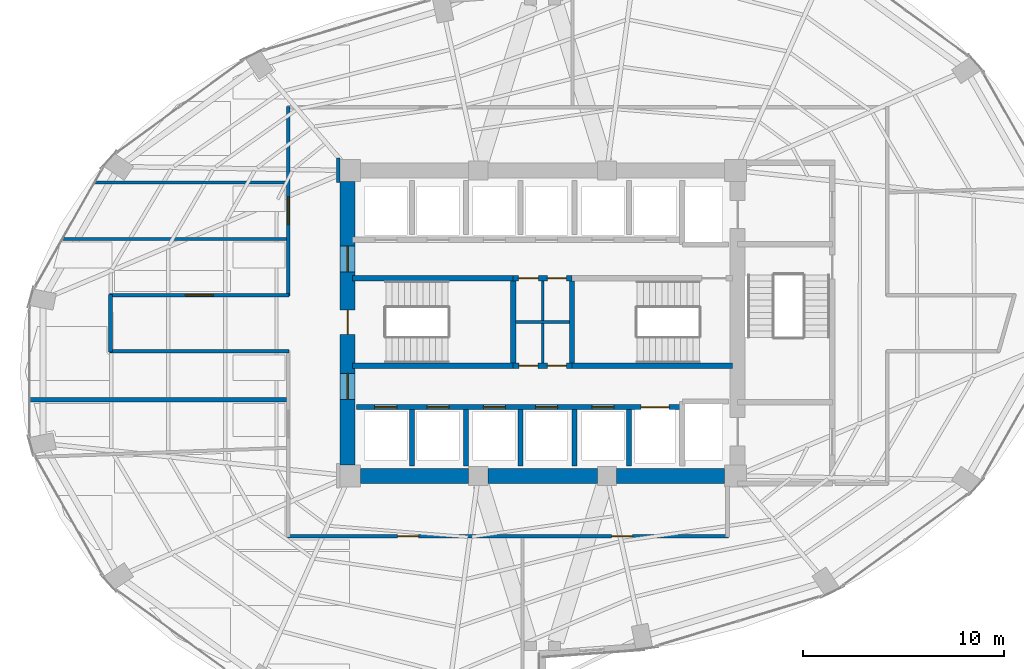
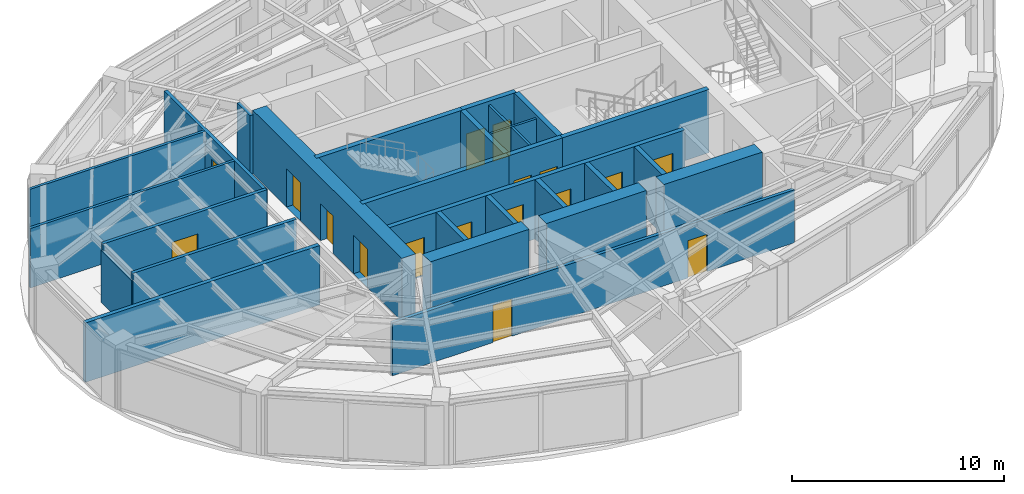
# One storey, part 19 of 23: 28 walls, 17 doors, 17 openings.
"""IFC4 building model written with IfcOpenShell, lengths in metres."""

from ifc_helpers import new_model, si_unit, direction, frame, frame_2d, origin, place, context, subcontext, project, spatial, rectangle, extrude, material, layer, layer_set, type_object, element, fill, save


model = new_model("IFC4")

# Units and contexts
model_context = context("Model", 3, precision=1e-05, world=origin(), true_north=direction((0.0, 1.0)))
body_context = subcontext(model_context, "Body", "Model", "MODEL_VIEW")
ifc_project = project(units=[si_unit("LENGTHUNIT", "METRE"), si_unit("AREAUNIT", "SQUARE_METRE"), si_unit("VOLUMEUNIT", "CUBIC_METRE"), si_unit("PLANEANGLEUNIT", "RADIAN"), si_unit("MASSUNIT", "GRAM", prefix="KILO")], contexts=[model_context])

# Site, building, storey
site_placement = place(None, origin())
site = spatial("IfcSite", under=ifc_project, at=site_placement, CompositionType="ELEMENT")
building_placement = place(site_placement, origin())
building = spatial("IfcBuilding", under=site, at=building_placement, Name="Lazwardi Medical Tower", CompositionType="ELEMENT")
storey_placement = place(building_placement, frame((0.0, 0.0, 92.68798828125)))
storey = spatial("IfcBuildingStorey", under=building, at=storey_placement, Name="L23", CompositionType="ELEMENT", Elevation=92.68798828125)

# Wall
ifc_material_1 = material(Name="Fire-rated gypsum board on steel stud", Category="steel")
ifc_layer_1 = layer(ifc_material_1, 0.179931640625)
ifc_layer_set_1 = layer_set([ifc_layer_1], Name="Fire-rated gypsum board on steel stud")
wall_type_1 = type_object("IfcWallType", Name="WL-COR-180", PredefinedType="PARTITIONING", material=ifc_layer_set_1)
wall_1_placement = place(storey_placement, frame((14.5, 26.56005859375, 0.0), z_axis=(0.0, 0.0, 1.0), x_axis=(0.0, 1.0, 0.0)))
element("IfcWall", 1, at=wall_1_placement, inside=storey, type_object=wall_type_1, Name="L23 Corridor partition 1", PredefinedType="PARTITIONING", context=body_context, shape_type="SweptSolid", body=[
    extrude(rectangle(XDim=2.8798828125, YDim=0.179931640625, at=frame_2d((1.43994140625, 0.0))), origin(), (0.0, 0.0, 1.0), 3.012939453125),
])

# Wall, opening, door
wall_2_placement = place(storey_placement, frame((14.4599609375, 29.39990234375, 0.0), z_axis=(0.0, 0.0, 1.0), x_axis=(1.0, 0.0, 0.0)))
wall_2 = element("IfcWall", 2, at=wall_2_placement, inside=storey, type_object=wall_type_1, Name="L23 Corridor partition 2", PredefinedType="PARTITIONING", context=body_context, shape_type="SweptSolid", body=[
    extrude(rectangle(XDim=8.929931640625, YDim=0.179931640625, at=frame_2d((4.46484375, 0.0))), origin(), (0.0, 0.0, 1.0), 3.427978515625),
])
opening_1_placement = place(wall_2_placement, frame((3.764892578125, 0.0, 0.0)))
opening_1 = element("IfcOpeningElement", 3, at=opening_1_placement, cuts=wall_2, Name="Opening D-L23-015", PredefinedType="OPENING", context=body_context, shape_type="SweptSolid", body=[
    extrude(rectangle(XDim=1.39990234375, YDim=2.199951171875, at=frame_2d((0.699951171875, 1.10009765625))), frame((0.0, 0.099853515625, 0.0), z_axis=(0.0, -1.0, 0.0), x_axis=(1.0, 0.0, 0.0)), (0.0, 0.0, 1.0), 0.199951171875),
])
ifc_material_2 = material(Name="Anti-microbial laminate hospital leaf")
door_type_1 = type_object("IfcDoorType", Name="DR-BED-1400", OperationType="NOTDEFINED", PredefinedType="DOOR", material=ifc_material_2)
door_1_placement = place(opening_1_placement, origin())
door_1 = element("IfcDoor", 4, at=door_1_placement, inside=storey, type_object=door_type_1, Name="L23 Inpatient Ward Door 07", OperationType="SINGLE_SWING_RIGHT", OverallHeight=2.199951171875, OverallWidth=1.39990234375, PredefinedType="DOOR", context=body_context, shape_type="SweptSolid", body=[
    extrude(rectangle(XDim=1.39990234375, YDim=2.199951171875, at=frame_2d((0.699951171875, 1.10009765625))), frame((0.0, 0.02490234375, 0.0), z_axis=(0.0, -1.0, 0.0), x_axis=(1.0, 0.0, 0.0)), (0.0, 0.0, 1.0), 0.050048828125),
])
fill(opening_1, door_1)

wall_3_placement = place(storey_placement, frame((23.35009765625, 29.360107421875, 0.0), z_axis=(0.0, 0.0, 1.0), x_axis=(0.0, 1.0, 0.0)))
wall_3 = element("IfcWall", 5, at=wall_3_placement, inside=storey, type_object=wall_type_1, Name="L23 Corridor partition 3", PredefinedType="PARTITIONING", context=body_context, shape_type="SweptSolid", body=[
    extrude(rectangle(XDim=9.429931640625, YDim=0.179931640625, at=frame_2d((4.71484375, 0.0))), origin(), (0.0, 0.0, 1.0), 3.427978515625),
])
opening_2_placement = place(wall_3_placement, frame((3.5400390625, 0.0, 0.0)))
opening_2 = element("IfcOpeningElement", 6, at=opening_2_placement, cuts=wall_3, Name="Opening D-L23-014", PredefinedType="OPENING", context=body_context, shape_type="SweptSolid", body=[
    extrude(rectangle(XDim=1.39990234375, YDim=2.199951171875, at=frame_2d((0.699951171875, 1.10009765625))), frame((0.0, 0.099853515625, 0.0), z_axis=(0.0, -1.0, 0.0), x_axis=(1.0, 0.0, 0.0)), (0.0, 0.0, 1.0), 0.199951171875),
])
door_2_placement = place(opening_2_placement, origin())
door_2 = element("IfcDoor", 7, at=door_2_placement, inside=storey, type_object=door_type_1, Name="L23 Inpatient Ward Door 06", OperationType="SINGLE_SWING_LEFT", OverallHeight=2.199951171875, OverallWidth=1.39990234375, PredefinedType="DOOR", context=body_context, shape_type="SweptSolid", body=[
    extrude(rectangle(XDim=1.39990234375, YDim=2.199951171875, at=frame_2d((0.699951171875, 1.10009765625))), frame((0.0, 0.02490234375, 0.0), z_axis=(0.0, -1.0, 0.0), x_axis=(1.0, 0.0, 0.0)), (0.0, 0.0, 1.0), 0.050048828125),
])
fill(opening_2, door_2)

# Wall
wall_4_placement = place(storey_placement, frame((25.830078125, 36.2099609375, 0.0), z_axis=(0.0, 0.0, 1.0), x_axis=(0.0, -1.0, 0.0)))
element("IfcWall", 8, at=wall_4_placement, inside=storey, type_object=wall_type_1, Name="L23 Corridor partition 11", PredefinedType="PARTITIONING", context=body_context, shape_type="SweptSolid", body=[
    extrude(rectangle(XDim=1.219970703125, YDim=0.179931640625, at=frame_2d((0.60986328125, 0.0))), origin(), (0.0, 0.0, 1.0), 3.427978515625),
])

# Wall, openings, doors
wall_5_placement = place(storey_placement, frame((45.239990234375, 17.39990234375, 0.0), z_axis=(0.0, 0.0, 1.0), x_axis=(-1.0, 0.0, 0.0)))
wall_5 = element("IfcWall", 9, at=wall_5_placement, inside=storey, type_object=wall_type_1, Name="L23 Corridor partition 14", PredefinedType="PARTITIONING", context=body_context, shape_type="SweptSolid", body=[
    extrude(rectangle(XDim=21.929931640625, YDim=0.179931640625, at=frame_2d((10.96484375, 0.0))), origin(), (0.0, 0.0, 1.0), 3.052978515625),
])
opening_3_placement = place(wall_5_placement, frame((15.40087890625, 0.0, 0.0)))
opening_3 = element("IfcOpeningElement", 10, at=opening_3_placement, cuts=wall_5, Name="Opening D-L23-010", PredefinedType="OPENING", context=body_context, shape_type="SweptSolid", body=[
    extrude(rectangle(XDim=1.050048828125, YDim=2.14990234375, at=frame_2d((0.52490234375, 1.074951171875))), frame((0.0, 0.099853515625, 0.0), z_axis=(0.0, -1.0, 0.0), x_axis=(1.0, 0.0, 0.0)), (0.0, 0.0, 1.0), 0.199951171875),
])
opening_4_placement = place(wall_5_placement, frame((4.75390625, 0.0, 0.0)))
opening_4 = element("IfcOpeningElement", 11, at=opening_4_placement, cuts=wall_5, Name="Opening D-L23-011", PredefinedType="OPENING", context=body_context, shape_type="SweptSolid", body=[
    extrude(rectangle(XDim=1.050048828125, YDim=2.14990234375, at=frame_2d((0.52490234375, 1.074951171875))), frame((0.0, 0.099853515625, 0.0), z_axis=(0.0, -1.0, 0.0), x_axis=(1.0, 0.0, 0.0)), (0.0, 0.0, 1.0), 0.199951171875),
])
door_type_2 = type_object("IfcDoorType", Name="DR-CLN-1050", OperationType="NOTDEFINED", PredefinedType="DOOR", material=ifc_material_2)
door_3_placement = place(opening_3_placement, origin())
door_3 = element("IfcDoor", 12, at=door_3_placement, inside=storey, type_object=door_type_2, Name="L23 Outpatient Clinic Door 02", OperationType="SINGLE_SWING_LEFT", OverallHeight=2.14990234375, OverallWidth=1.050048828125, PredefinedType="DOOR", context=body_context, shape_type="SweptSolid", body=[
    extrude(rectangle(XDim=1.050048828125, YDim=2.14990234375, at=frame_2d((0.52490234375, 1.074951171875))), frame((0.0, 0.02490234375, 0.0), z_axis=(0.0, -1.0, 0.0), x_axis=(1.0, 0.0, 0.0)), (0.0, 0.0, 1.0), 0.050048828125),
])
fill(opening_3, door_3)
door_4_placement = place(opening_4_placement, origin())
door_4 = element("IfcDoor", 13, at=door_4_placement, inside=storey, type_object=door_type_2, Name="L23 Clinical Specialist Office Door 03", OperationType="SINGLE_SWING_RIGHT", OverallHeight=2.14990234375, OverallWidth=1.050048828125, PredefinedType="DOOR", context=body_context, shape_type="SweptSolid", body=[
    extrude(rectangle(XDim=1.050048828125, YDim=2.14990234375, at=frame_2d((0.52490234375, 1.074951171875))), frame((0.0, 0.02490234375, 0.0), z_axis=(0.0, -1.0, 0.0), x_axis=(1.0, 0.0, 0.0)), (0.0, 0.0, 1.0), 0.050048828125),
])
fill(opening_4, door_4)

# Wall
wall_6_placement = place(storey_placement, frame((23.389892578125, 26.60009765625, 0.0), z_axis=(0.0, 0.0, 1.0), x_axis=(-1.0, 0.0, 0.0)))
element("IfcWall", 14, at=wall_6_placement, inside=storey, type_object=wall_type_1, Name="L23 Corridor partition 16", PredefinedType="PARTITIONING", context=body_context, shape_type="SweptSolid", body=[
    extrude(rectangle(XDim=8.929931640625, YDim=0.179931640625, at=frame_2d((4.46484375, 0.0))), origin(), (0.0, 0.0, 1.0), 3.427978515625),
])

# Wall, openings, doors
ifc_material_3 = material(Name="Concrete C70/85", Category="concrete")
ifc_layer_2 = layer(ifc_material_3, 0.75)
ifc_layer_set_2 = layer_set([ifc_layer_2], Name="Concrete C70/85")
wall_type_2 = type_object("IfcWallType", Name="WL-CORE-750", PredefinedType="SHEAR", material=ifc_layer_set_2)
wall_7_placement = place(storey_placement, frame((26.300048828125, 20.949951171875, 0.0), z_axis=(0.0, 0.0, 1.0), x_axis=(0.0, 1.0, 0.0)))
wall_7 = element("IfcWall", 15, at=wall_7_placement, inside=storey, type_object=wall_type_2, Name="Core wall CW-S2 west L23", PredefinedType="SHEAR", context=body_context, shape_type="SweptSolid", body=[
    extrude(rectangle(XDim=14.10009765625, YDim=0.75, at=frame_2d((7.050048828125, 0.0))), origin(), (0.0, 0.0, 1.0), 3.64794921875),
])
opening_5_placement = place(wall_7_placement, frame((6.5, 0.0, 0.0)))
opening_5 = element("IfcOpeningElement", 16, at=opening_5_placement, cuts=wall_7, Name="Opening D-L23-016", PredefinedType="OPENING", context=body_context, shape_type="SweptSolid", body=[
    extrude(rectangle(XDim=1.199951171875, YDim=2.14990234375, at=frame_2d((0.60009765625, 1.074951171875))), frame((0.0, 0.385009765625, 0.0), z_axis=(0.0, -1.0, 0.0), x_axis=(1.0, 0.0, 0.0)), (0.0, 0.0, 1.0), 0.77001953125),
])
opening_6_placement = place(wall_7_placement, frame((9.60009765625, 0.0, 0.0)))
opening_6 = element("IfcOpeningElement", 17, at=opening_6_placement, cuts=wall_7, Name="Opening D-L23-007", PredefinedType="OPENING", context=body_context, shape_type="SweptSolid", body=[
    extrude(rectangle(XDim=1.300048828125, YDim=2.199951171875, at=frame_2d((0.64990234375, 1.10009765625))), frame((0.0, 0.385009765625, 0.0), z_axis=(0.0, -1.0, 0.0), x_axis=(1.0, 0.0, 0.0)), (0.0, 0.0, 1.0), 0.77001953125),
])
opening_7_placement = place(wall_7_placement, frame((3.260009765625, 0.0, 0.0)))
opening_7 = element("IfcOpeningElement", 18, at=opening_7_placement, cuts=wall_7, Name="Opening D-L23-008", PredefinedType="OPENING", context=body_context, shape_type="SweptSolid", body=[
    extrude(rectangle(XDim=1.300048828125, YDim=2.199951171875, at=frame_2d((0.64990234375, 1.10009765625))), frame((0.0, 0.385009765625, 0.0), z_axis=(0.0, -1.0, 0.0), x_axis=(1.0, 0.0, 0.0)), (0.0, 0.0, 1.0), 0.77001953125),
])
ifc_material_4 = material(Name="Fire-rated steel leaf and frame", Category="steel")
door_type_3 = type_object("IfcDoorType", Name="DR-FFL-1300", OperationType="NOTDEFINED", PredefinedType="DOOR", material=ifc_material_4)
door_5_placement = place(opening_6_placement, origin())
door_5 = element("IfcDoor", 19, at=door_5_placement, inside=storey, type_object=door_type_3, Name="L23 North Lift Lobby Door", OperationType="SINGLE_SWING_LEFT", OverallHeight=2.199951171875, OverallWidth=1.300048828125, PredefinedType="DOOR", context=body_context, shape_type="SweptSolid", body=[
    extrude(rectangle(XDim=1.300048828125, YDim=2.199951171875, at=frame_2d((0.64990234375, 1.10009765625))), frame((0.0, 0.02490234375, 0.0), z_axis=(0.0, -1.0, 0.0), x_axis=(1.0, 0.0, 0.0)), (0.0, 0.0, 1.0), 0.050048828125),
])
fill(opening_6, door_5)
door_6_placement = place(opening_7_placement, origin())
door_6 = element("IfcDoor", 20, at=door_6_placement, inside=storey, type_object=door_type_3, Name="L23 South Lift Lobby Door", OperationType="SINGLE_SWING_RIGHT", OverallHeight=2.199951171875, OverallWidth=1.300048828125, PredefinedType="DOOR", context=body_context, shape_type="SweptSolid", body=[
    extrude(rectangle(XDim=1.300048828125, YDim=2.199951171875, at=frame_2d((0.64990234375, 1.10009765625))), frame((0.0, 0.02490234375, 0.0), z_axis=(0.0, -1.0, 0.0), x_axis=(1.0, 0.0, 0.0)), (0.0, 0.0, 1.0), 0.050048828125),
])
fill(opening_7, door_6)
door_type_4 = type_object("IfcDoorType", Name="DR-STR-1200", OperationType="NOTDEFINED", PredefinedType="DOOR", material=ifc_material_4)
door_7_placement = place(opening_5_placement, origin())
door_7 = element("IfcDoor", 21, at=door_7_placement, inside=storey, type_object=door_type_4, Name="L23 Exit Stair ST1 Door", OperationType="SINGLE_SWING_LEFT", OverallHeight=2.14990234375, OverallWidth=1.199951171875, PredefinedType="DOOR", context=body_context, shape_type="SweptSolid", body=[
    extrude(rectangle(XDim=1.199951171875, YDim=2.14990234375, at=frame_2d((0.60009765625, 1.074951171875))), frame((0.0, 0.02490234375, 0.0), z_axis=(0.0, -1.0, 0.0), x_axis=(1.0, 0.0, 0.0)), (0.0, 0.0, 1.0), 0.050048828125),
])
fill(opening_5, door_7)

# Walls
wall_8_placement = place(storey_placement, frame((26.949951171875, 20.39990234375, 0.0), z_axis=(0.0, 0.0, 1.0), x_axis=(1.0, 0.0, 0.0)))
element("IfcWall", 22, at=wall_8_placement, inside=storey, type_object=wall_type_2, Name="Core wall CW-S2 S1 L23", PredefinedType="SHEAR", context=body_context, shape_type="SweptSolid", body=[
    extrude(rectangle(XDim=5.375, YDim=0.75, at=frame_2d((2.6875, 0.0))), origin(), (0.0, 0.0, 1.0), 3.64794921875),
])
wall_9_placement = place(storey_placement, frame((33.27490234375, 20.39990234375, 0.0), z_axis=(0.0, 0.0, 1.0), x_axis=(1.0, 0.0, 0.0)))
element("IfcWall", 23, at=wall_9_placement, inside=storey, type_object=wall_type_2, Name="Core wall CW-S2 S2 L23", PredefinedType="SHEAR", context=body_context, shape_type="SweptSolid", body=[
    extrude(rectangle(XDim=5.4501953125, YDim=0.75, at=frame_2d((2.72509765625, 0.0))), origin(), (0.0, 0.0, 1.0), 3.64794921875),
])
wall_10_placement = place(storey_placement, frame((39.675048828125, 20.39990234375, 0.0), z_axis=(0.0, 0.0, 1.0), x_axis=(1.0, 0.0, 0.0)))
element("IfcWall", 24, at=wall_10_placement, inside=storey, type_object=wall_type_2, Name="Core wall CW-S2 S3 L23", PredefinedType="SHEAR", context=body_context, shape_type="SweptSolid", body=[
    extrude(rectangle(XDim=5.375, YDim=0.75, at=frame_2d((2.6875, 0.0))), origin(), (0.0, 0.0, 1.0), 3.64794921875),
])
ifc_material_5 = material(Name="Moisture-resistant gypsum board partition")
ifc_layer_3 = layer(ifc_material_5, 0.125)
ifc_layer_set_3 = layer_set([ifc_layer_3], Name="Moisture-resistant gypsum board partition")
wall_type_3 = type_object("IfcWallType", Name="WL-ENS-125", PredefinedType="PARTITIONING", material=ifc_layer_set_3)
wall_11_placement = place(storey_placement, frame((34.64990234375, 28.06005859375, 0.0), z_axis=(0.0, 0.0, 1.0), x_axis=(1.0, 0.0, 0.0)))
element("IfcWall", 25, at=wall_11_placement, inside=storey, type_object=wall_type_3, Name="L23 Core 4-way H divider", PredefinedType="PARTITIONING", context=body_context, shape_type="SweptSolid", body=[
    extrude(rectangle(XDim=2.7001953125, YDim=0.125, at=frame_2d((1.35009765625, 0.0))), origin(), (0.0, 0.0, 1.0), 3.427978515625),
])
wall_12_placement = place(storey_placement, frame((36.0, 26.02001953125, 0.0), z_axis=(0.0, 0.0, 1.0), x_axis=(0.0, 1.0, 0.0)))
element("IfcWall", 26, at=wall_12_placement, inside=storey, type_object=wall_type_3, Name="L23 Core 4-way V divider", PredefinedType="PARTITIONING", context=body_context, shape_type="SweptSolid", body=[
    extrude(rectangle(XDim=4.080078125, YDim=0.125, at=frame_2d((2.0400390625, 0.0))), origin(), (0.0, 0.0, 1.0), 3.427978515625),
])

# Wall, openings, doors
ifc_material_6 = material(Name="Autoclaved aerated concrete blockwork", Category="masonry")
ifc_layer_4 = layer(ifc_material_6, 0.25)
ifc_layer_set_4 = layer_set([ifc_layer_4], Name="Autoclaved aerated concrete blockwork")
wall_type_4 = type_object("IfcWallType", Name="WL-SHAFT-250", PredefinedType="SOLIDWALL", material=ifc_layer_set_4)
wall_13_placement = place(storey_placement, frame((26.75, 23.830078125, 0.0), z_axis=(0.0, 0.0, 1.0), x_axis=(1.0, 0.0, 0.0)))
wall_13 = element("IfcWall", 27, at=wall_13_placement, inside=storey, type_object=wall_type_4, Name="L23 South lift bank front wall", PredefinedType="SOLIDWALL", context=body_context, shape_type="SweptSolid", body=[
    extrude(rectangle(XDim=16.199951171875, YDim=0.25, at=frame_2d((8.10009765625, 0.0))), origin(), (0.0, 0.0, 1.0), 3.427978515625),
])
opening_8_placement = place(wall_13_placement, frame((0.89990234375, 0.0, 0.0)))
opening_8 = element("IfcOpeningElement", 28, at=opening_8_placement, cuts=wall_13, Name="Opening LD-L23-006", PredefinedType="OPENING", context=body_context, shape_type="SweptSolid", body=[
    extrude(rectangle(XDim=1.10009765625, YDim=2.199951171875, at=frame_2d((0.550048828125, 1.10009765625))), frame((0.0, 0.135009765625, 0.0), z_axis=(0.0, -1.0, 0.0), x_axis=(1.0, 0.0, 0.0)), (0.0, 0.0, 1.0), 0.27001953125),
])
opening_9_placement = place(wall_13_placement, frame((3.5, 0.0, 0.0)))
opening_9 = element("IfcOpeningElement", 29, at=opening_9_placement, cuts=wall_13, Name="Opening LD-L23-007", PredefinedType="OPENING", context=body_context, shape_type="SweptSolid", body=[
    extrude(rectangle(XDim=1.10009765625, YDim=2.199951171875, at=frame_2d((0.550048828125, 1.10009765625))), frame((0.0, 0.135009765625, 0.0), z_axis=(0.0, -1.0, 0.0), x_axis=(1.0, 0.0, 0.0)), (0.0, 0.0, 1.0), 0.27001953125),
])
opening_10_placement = place(wall_13_placement, frame((6.300048828125, 0.0, 0.0)))
opening_10 = element("IfcOpeningElement", 30, at=opening_10_placement, cuts=wall_13, Name="Opening LD-L23-010", PredefinedType="OPENING", context=body_context, shape_type="SweptSolid", body=[
    extrude(rectangle(XDim=1.10009765625, YDim=2.199951171875, at=frame_2d((0.550048828125, 1.10009765625))), frame((0.0, 0.135009765625, 0.0), z_axis=(0.0, -1.0, 0.0), x_axis=(1.0, 0.0, 0.0)), (0.0, 0.0, 1.0), 0.27001953125),
])
opening_11_placement = place(wall_13_placement, frame((8.89990234375, 0.0, 0.0)))
opening_11 = element("IfcOpeningElement", 31, at=opening_11_placement, cuts=wall_13, Name="Opening LD-L23-011", PredefinedType="OPENING", context=body_context, shape_type="SweptSolid", body=[
    extrude(rectangle(XDim=1.10009765625, YDim=2.199951171875, at=frame_2d((0.550048828125, 1.10009765625))), frame((0.0, 0.135009765625, 0.0), z_axis=(0.0, -1.0, 0.0), x_axis=(1.0, 0.0, 0.0)), (0.0, 0.0, 1.0), 0.27001953125),
])
opening_12_placement = place(wall_13_placement, frame((11.699951171875, 0.0, 0.0)))
opening_12 = element("IfcOpeningElement", 32, at=opening_12_placement, cuts=wall_13, Name="Opening LD-L23-014", PredefinedType="OPENING", context=body_context, shape_type="SweptSolid", body=[
    extrude(rectangle(XDim=1.10009765625, YDim=2.199951171875, at=frame_2d((0.550048828125, 1.10009765625))), frame((0.0, 0.135009765625, 0.0), z_axis=(0.0, -1.0, 0.0), x_axis=(1.0, 0.0, 0.0)), (0.0, 0.0, 1.0), 0.27001953125),
])
opening_13_placement = place(wall_13_placement, frame((14.14990234375, 0.0, 0.0)))
opening_13 = element("IfcOpeningElement", 33, at=opening_13_placement, cuts=wall_13, Name="Opening LD-L23-003", PredefinedType="OPENING", context=body_context, shape_type="SweptSolid", body=[
    extrude(rectangle(XDim=1.39990234375, YDim=2.300048828125, at=frame_2d((0.699951171875, 1.14990234375))), frame((0.0, 0.135009765625, 0.0), z_axis=(0.0, -1.0, 0.0), x_axis=(1.0, 0.0, 0.0)), (0.0, 0.0, 1.0), 0.27001953125),
])
ifc_material_7 = material(Name="Brushed bronze stainless steel landing door", Category="steel")
door_type_5 = type_object("IfcDoorType", Name="DR-LFT-1100", OperationType="NOTDEFINED", PredefinedType="DOOR", material=ifc_material_7)
door_8_placement = place(opening_8_placement, origin())
door_8 = element("IfcDoor", 34, at=door_8_placement, inside=storey, type_object=door_type_5, Name="L23 Lift Landing Door PL-03", OperationType="SLIDING_TO_LEFT", OverallHeight=2.199951171875, OverallWidth=1.10009765625, PredefinedType="DOOR", context=body_context, shape_type="SweptSolid", body=[
    extrude(rectangle(XDim=1.10009765625, YDim=2.199951171875, at=frame_2d((0.550048828125, 1.10009765625))), frame((0.0, 0.02490234375, 0.0), z_axis=(0.0, -1.0, 0.0), x_axis=(1.0, 0.0, 0.0)), (0.0, 0.0, 1.0), 0.050048828125),
])
fill(opening_8, door_8)
door_9_placement = place(opening_9_placement, origin())
door_9 = element("IfcDoor", 35, at=door_9_placement, inside=storey, type_object=door_type_5, Name="L23 Lift Landing Door PL-04", OperationType="SLIDING_TO_LEFT", OverallHeight=2.199951171875, OverallWidth=1.10009765625, PredefinedType="DOOR", context=body_context, shape_type="SweptSolid", body=[
    extrude(rectangle(XDim=1.10009765625, YDim=2.199951171875, at=frame_2d((0.550048828125, 1.10009765625))), frame((0.0, 0.02490234375, 0.0), z_axis=(0.0, -1.0, 0.0), x_axis=(1.0, 0.0, 0.0)), (0.0, 0.0, 1.0), 0.050048828125),
])
fill(opening_9, door_9)
door_10_placement = place(opening_10_placement, origin())
door_10 = element("IfcDoor", 36, at=door_10_placement, inside=storey, type_object=door_type_5, Name="L23 Lift Landing Door PL-07", OperationType="SLIDING_TO_LEFT", OverallHeight=2.199951171875, OverallWidth=1.10009765625, PredefinedType="DOOR", context=body_context, shape_type="SweptSolid", body=[
    extrude(rectangle(XDim=1.10009765625, YDim=2.199951171875, at=frame_2d((0.550048828125, 1.10009765625))), frame((0.0, 0.02490234375, 0.0), z_axis=(0.0, -1.0, 0.0), x_axis=(1.0, 0.0, 0.0)), (0.0, 0.0, 1.0), 0.050048828125),
])
fill(opening_10, door_10)
door_11_placement = place(opening_11_placement, origin())
door_11 = element("IfcDoor", 37, at=door_11_placement, inside=storey, type_object=door_type_5, Name="L23 Lift Landing Door PL-08", OperationType="SLIDING_TO_LEFT", OverallHeight=2.199951171875, OverallWidth=1.10009765625, PredefinedType="DOOR", context=body_context, shape_type="SweptSolid", body=[
    extrude(rectangle(XDim=1.10009765625, YDim=2.199951171875, at=frame_2d((0.550048828125, 1.10009765625))), frame((0.0, 0.02490234375, 0.0), z_axis=(0.0, -1.0, 0.0), x_axis=(1.0, 0.0, 0.0)), (0.0, 0.0, 1.0), 0.050048828125),
])
fill(opening_11, door_11)
door_12_placement = place(opening_12_placement, origin())
door_12 = element("IfcDoor", 38, at=door_12_placement, inside=storey, type_object=door_type_5, Name="L23 Lift Landing Door PL-11", OperationType="SLIDING_TO_LEFT", OverallHeight=2.199951171875, OverallWidth=1.10009765625, PredefinedType="DOOR", context=body_context, shape_type="SweptSolid", body=[
    extrude(rectangle(XDim=1.10009765625, YDim=2.199951171875, at=frame_2d((0.550048828125, 1.10009765625))), frame((0.0, 0.02490234375, 0.0), z_axis=(0.0, -1.0, 0.0), x_axis=(1.0, 0.0, 0.0)), (0.0, 0.0, 1.0), 0.050048828125),
])
fill(opening_12, door_12)
ifc_material_8 = material(Name="Brushed stainless steel bed-lift landing door", Category="steel")
door_type_6 = type_object("IfcDoorType", Name="DR-LFT-1400", OperationType="NOTDEFINED", PredefinedType="DOOR", material=ifc_material_8)
door_13_placement = place(opening_13_placement, origin())
door_13 = element("IfcDoor", 39, at=door_13_placement, inside=storey, type_object=door_type_6, Name="L23 Lift Landing Door FL-03", OperationType="SLIDING_TO_LEFT", OverallHeight=2.300048828125, OverallWidth=1.39990234375, PredefinedType="DOOR", context=body_context, shape_type="SweptSolid", body=[
    extrude(rectangle(XDim=1.39990234375, YDim=2.300048828125, at=frame_2d((0.699951171875, 1.14990234375))), frame((0.0, 0.02490234375, 0.0), z_axis=(0.0, -1.0, 0.0), x_axis=(1.0, 0.0, 0.0)), (0.0, 0.0, 1.0), 0.050048828125),
])
fill(opening_13, door_13)

# Walls
for number, where, z_axis, x_axis, name in (
    (40, (29.5, 20.89990234375, 0.0), (0.0, 0.0, 1.0), (0.0, 1.0, 0.0), "L23 South hoistway divider"),
    (41, (32.199951171875, 20.89990234375, 0.0), (0.0, 0.0, 1.0), (0.0, 1.0, 0.0), "L23 South hoistway divider"),
    (42, (34.89990234375, 20.89990234375, 0.0), (0.0, 0.0, 1.0), (0.0, 1.0, 0.0), "L23 South hoistway divider"),
    (43, (37.60009765625, 20.89990234375, 0.0), (0.0, 0.0, 1.0), (0.0, 1.0, 0.0), "L23 South hoistway divider"),
    (44, (40.300048828125, 20.89990234375, 0.0), (0.0, 0.0, 1.0), (0.0, 1.0, 0.0), "L23 South hoistway divider"),
):
    element("IfcWall", number, at=place(storey_placement, frame(where, z_axis=z_axis, x_axis=x_axis)), inside=storey, type_object=wall_type_4, Name=name, PredefinedType="SOLIDWALL", context=body_context, shape_type="SweptSolid", body=[
        extrude(rectangle(XDim=2.800048828125, YDim=0.25, at=frame_2d((1.39990234375, 0.0))), origin(), (0.0, 0.0, 1.0), 3.427978515625),
    ])
ifc_layer_5 = layer(ifc_material_1, 0.219970703125)
ifc_layer_set_5 = layer_set([ifc_layer_5], Name="Fire-rated gypsum board on steel stud")
wall_type_5 = type_object("IfcWallType", Name="WL-SMK-220", PredefinedType="PARTITIONING", material=ifc_layer_set_5)
wall_14_placement = place(storey_placement, frame((10.480224609375, 24.199951171875, 0.0), z_axis=(0.0, 0.0, 1.0), x_axis=(1.0, 0.0, 0.0)))
element("IfcWall", 45, at=wall_14_placement, inside=storey, type_object=wall_type_5, Name="L23 Room partition 2", PredefinedType="PARTITIONING", context=body_context, shape_type="SweptSolid", body=[
    extrude(rectangle(XDim=12.77978515625, YDim=0.219970703125, at=frame_2d((6.389892578125, 0.0))), origin(), (0.0, 0.0, 1.0), 3.427978515625),
])
ifc_material_9 = material(Name="Concrete C50/60", Category="concrete")
ifc_layer_6 = layer(ifc_material_9, 0.27001953125)
ifc_layer_set_6 = layer_set([ifc_layer_6], Name="Concrete C50/60")
wall_type_6 = type_object("IfcWallType", Name="WL-STR-250", PredefinedType="SHEAR", material=ifc_layer_set_6)
wall_15_placement = place(storey_placement, frame((26.550048828125, 30.235107421875, 0.0), z_axis=(0.0, 0.0, 1.0), x_axis=(1.0, 0.0, 0.0)))
element("IfcWall", 46, at=wall_15_placement, inside=storey, type_object=wall_type_6, Name="L23 ST1 North shear shaft wall SW-S1", PredefinedType="SHEAR", context=body_context, shape_type="SweptSolid", body=[
    extrude(rectangle(XDim=7.98486328125, YDim=0.27001953125, at=frame_2d((3.992431640625, 0.0))), origin(), (0.0, 0.0, 1.0), 3.64794921875),
])

# Wall, openings, doors
wall_16_placement = place(storey_placement, frame((34.534912109375, 30.235107421875, 0.0), z_axis=(0.0, 0.0, 1.0), x_axis=(1.0, 0.0, 0.0)))
wall_16 = element("IfcWall", 47, at=wall_16_placement, inside=storey, type_object=wall_type_6, Name="L23 Core service North shear wall SW-S1", PredefinedType="SHEAR", context=body_context, shape_type="SweptSolid", body=[
    extrude(rectangle(XDim=2.93017578125, YDim=0.27001953125, at=frame_2d((1.465087890625, 0.0))), origin(), (0.0, 0.0, 1.0), 3.64794921875),
])
opening_14_placement = place(wall_16_placement, frame((0.2548828125, 0.0, 0.0)))
opening_14 = element("IfcOpeningElement", 48, at=opening_14_placement, cuts=wall_16, Name="Opening D-L23-003", PredefinedType="OPENING", context=body_context, shape_type="SweptSolid", body=[
    extrude(rectangle(XDim=1.0, YDim=2.10009765625, at=frame_2d((0.5, 1.050048828125))), frame((0.0, 0.14501953125, 0.0), z_axis=(0.0, -1.0, 0.0), x_axis=(1.0, 0.0, 0.0)), (0.0, 0.0, 1.0), 0.2900390625),
])
opening_15_placement = place(wall_16_placement, frame((1.699951171875, 0.0, 0.0)))
opening_15 = element("IfcOpeningElement", 49, at=opening_15_placement, cuts=wall_16, Name="Opening D-L23-004", PredefinedType="OPENING", context=body_context, shape_type="SweptSolid", body=[
    extrude(rectangle(XDim=0.949951171875, YDim=2.10009765625, at=frame_2d((0.47509765625, 1.050048828125))), frame((0.0, 0.14501953125, 0.0), z_axis=(0.0, -1.0, 0.0), x_axis=(1.0, 0.0, 0.0)), (0.0, 0.0, 1.0), 0.2900390625),
])
ifc_material_10 = material(Name="Moisture-resistant laminate door leaf")
door_type_7 = type_object("IfcDoorType", Name="DR-AWC-1000", OperationType="NOTDEFINED", PredefinedType="DOOR", material=ifc_material_10)
door_14_placement = place(opening_14_placement, origin())
door_14 = element("IfcDoor", 50, at=door_14_placement, inside=storey, type_object=door_type_7, Name="L23 Accessible WC Door", OperationType="SINGLE_SWING_LEFT", OverallHeight=2.10009765625, OverallWidth=1.0, PredefinedType="DOOR", context=body_context, shape_type="SweptSolid", body=[
    extrude(rectangle(XDim=1.0, YDim=2.10009765625, at=frame_2d((0.5, 1.050048828125))), frame((0.0, 0.02490234375, 0.0), z_axis=(0.0, -1.0, 0.0), x_axis=(1.0, 0.0, 0.0)), (0.0, 0.0, 1.0), 0.050048828125),
])
fill(opening_14, door_14)
door_type_8 = type_object("IfcDoorType", Name="DR-ENS-950", OperationType="NOTDEFINED", PredefinedType="DOOR", material=ifc_material_10)
door_15_placement = place(opening_15_placement, origin())
door_15 = element("IfcDoor", 51, at=door_15_placement, inside=storey, type_object=door_type_8, Name="L23 Clean Utility Door", OperationType="SINGLE_SWING_RIGHT", OverallHeight=2.10009765625, OverallWidth=0.949951171875, PredefinedType="DOOR", context=body_context, shape_type="SweptSolid", body=[
    extrude(rectangle(XDim=0.949951171875, YDim=2.10009765625, at=frame_2d((0.47509765625, 1.050048828125))), frame((0.0, 0.02490234375, 0.0), z_axis=(0.0, -1.0, 0.0), x_axis=(1.0, 0.0, 0.0)), (0.0, 0.0, 1.0), 0.050048828125),
])
fill(opening_15, door_15)

# Wall
wall_17_placement = place(storey_placement, frame((26.550048828125, 25.885009765625, 0.0), z_axis=(0.0, 0.0, 1.0), x_axis=(1.0, 0.0, 0.0)))
element("IfcWall", 52, at=wall_17_placement, inside=storey, type_object=wall_type_6, Name="L23 ST1 South shear shaft wall SW-S1", PredefinedType="SHEAR", context=body_context, shape_type="SweptSolid", body=[
    extrude(rectangle(XDim=7.98486328125, YDim=0.27001953125, at=frame_2d((3.992431640625, 0.0))), origin(), (0.0, 0.0, 1.0), 3.64794921875),
])

# Wall, openings, doors
wall_18_placement = place(storey_placement, frame((34.534912109375, 25.885009765625, 0.0), z_axis=(0.0, 0.0, 1.0), x_axis=(1.0, 0.0, 0.0)))
wall_18 = element("IfcWall", 53, at=wall_18_placement, inside=storey, type_object=wall_type_6, Name="L23 Core service South shear wall SW-S1", PredefinedType="SHEAR", context=body_context, shape_type="SweptSolid", body=[
    extrude(rectangle(XDim=2.93017578125, YDim=0.27001953125, at=frame_2d((1.465087890625, 0.0))), origin(), (0.0, 0.0, 1.0), 3.64794921875),
])
opening_16_placement = place(wall_18_placement, frame((0.280029296875, 0.0, 0.0)))
opening_16 = element("IfcOpeningElement", 54, at=opening_16_placement, cuts=wall_18, Name="Opening D-L23-001", PredefinedType="OPENING", context=body_context, shape_type="SweptSolid", body=[
    extrude(rectangle(XDim=0.949951171875, YDim=2.10009765625, at=frame_2d((0.47509765625, 1.050048828125))), frame((0.0, 0.14501953125, 0.0), z_axis=(0.0, -1.0, 0.0), x_axis=(1.0, 0.0, 0.0)), (0.0, 0.0, 1.0), 0.2900390625),
])
opening_17_placement = place(wall_18_placement, frame((1.699951171875, 0.0, 0.0)))
opening_17 = element("IfcOpeningElement", 55, at=opening_17_placement, cuts=wall_18, Name="Opening D-L23-002", PredefinedType="OPENING", context=body_context, shape_type="SweptSolid", body=[
    extrude(rectangle(XDim=0.949951171875, YDim=2.10009765625, at=frame_2d((0.47509765625, 1.050048828125))), frame((0.0, 0.14501953125, 0.0), z_axis=(0.0, -1.0, 0.0), x_axis=(1.0, 0.0, 0.0)), (0.0, 0.0, 1.0), 0.2900390625),
])
door_16_placement = place(opening_16_placement, origin())
door_16 = element("IfcDoor", 56, at=door_16_placement, inside=storey, type_object=door_type_8, Name="L23 Staff WC Door", OperationType="SINGLE_SWING_LEFT", OverallHeight=2.10009765625, OverallWidth=0.949951171875, PredefinedType="DOOR", context=body_context, shape_type="SweptSolid", body=[
    extrude(rectangle(XDim=0.949951171875, YDim=2.10009765625, at=frame_2d((0.47509765625, 1.050048828125))), frame((0.0, 0.02490234375, 0.0), z_axis=(0.0, -1.0, 0.0), x_axis=(1.0, 0.0, 0.0)), (0.0, 0.0, 1.0), 0.050048828125),
])
fill(opening_16, door_16)
door_17_placement = place(opening_17_placement, origin())
door_17 = element("IfcDoor", 57, at=door_17_placement, inside=storey, type_object=door_type_8, Name="L23 Comms Room Door", OperationType="SINGLE_SWING_RIGHT", OverallHeight=2.10009765625, OverallWidth=0.949951171875, PredefinedType="DOOR", context=body_context, shape_type="SweptSolid", body=[
    extrude(rectangle(XDim=0.949951171875, YDim=2.10009765625, at=frame_2d((0.47509765625, 1.050048828125))), frame((0.0, 0.02490234375, 0.0), z_axis=(0.0, -1.0, 0.0), x_axis=(1.0, 0.0, 0.0)), (0.0, 0.0, 1.0), 0.050048828125),
])
fill(opening_17, door_17)

# Walls
wall_19_placement = place(storey_placement, frame((37.465087890625, 25.885009765625, 0.0), z_axis=(0.0, 0.0, 1.0), x_axis=(1.0, 0.0, 0.0)))
element("IfcWall", 58, at=wall_19_placement, inside=storey, type_object=wall_type_6, Name="L23 ST2 South shear shaft wall SW-S1", PredefinedType="SHEAR", context=body_context, shape_type="SweptSolid", body=[
    extrude(rectangle(XDim=7.98486328125, YDim=0.27001953125, at=frame_2d((3.992431640625, 0.0))), origin(), (0.0, 0.0, 1.0), 3.64794921875),
])
for number, where, z_axis, x_axis, name in (
    (59, (34.534912109375, 26.02001953125, 0.0), (0.0, 0.0, 1.0), (0.0, 1.0, 0.0), "L23 ST1 East shear shaft wall SW-S1"),
    (60, (37.465087890625, 26.02001953125, 0.0), (0.0, 0.0, 1.0), (0.0, 1.0, 0.0), "L23 ST2 West shear shaft wall SW-S1"),
):
    element("IfcWall", number, at=place(storey_placement, frame(where, z_axis=z_axis, x_axis=x_axis)), inside=storey, type_object=wall_type_6, Name=name, PredefinedType="SHEAR", context=body_context, shape_type="SweptSolid", body=[
        extrude(rectangle(XDim=4.080078125, YDim=0.27001953125, at=frame_2d((2.0400390625, 0.0))), origin(), (0.0, 0.0, 1.0), 3.64794921875),
    ])
ifc_material_11 = material(Name="Acoustic gypsum board partition")
ifc_layer_7 = layer(ifc_material_11, 0.14990234375)
ifc_layer_set_7 = layer_set([ifc_layer_7], Name="Acoustic gypsum board partition")
wall_type_7 = type_object("IfcWallType", Name="WL-WRD-150", PredefinedType="PARTITIONING", material=ifc_layer_set_7)
wall_20_placement = place(storey_placement, frame((12.12060546875, 32.199951171875, 0.0), z_axis=(0.0, 0.0, 1.0), x_axis=(1.0, 0.0, 0.0)))
element("IfcWall", 61, at=wall_20_placement, inside=storey, type_object=wall_type_7, Name="L23 Room partition 3", PredefinedType="PARTITIONING", context=body_context, shape_type="SweptSolid", body=[
    extrude(rectangle(XDim=11.139404296875, YDim=0.14990234375, at=frame_2d((5.56982421875, 0.0))), origin(), (0.0, 0.0, 1.0), 3.427978515625),
])
wall_21_placement = place(storey_placement, frame((13.709716796875, 35.0, 0.0), z_axis=(0.0, 0.0, 1.0), x_axis=(1.0, 0.0, 0.0)))
element("IfcWall", 62, at=wall_21_placement, inside=storey, type_object=wall_type_7, Name="L23 Room partition 4", PredefinedType="PARTITIONING", context=body_context, shape_type="SweptSolid", body=[
    extrude(rectangle(XDim=9.55029296875, YDim=0.14990234375, at=frame_2d((4.775146484375, 0.0))), origin(), (0.0, 0.0, 1.0), 3.427978515625),
])

save(model, "model.ifc")
